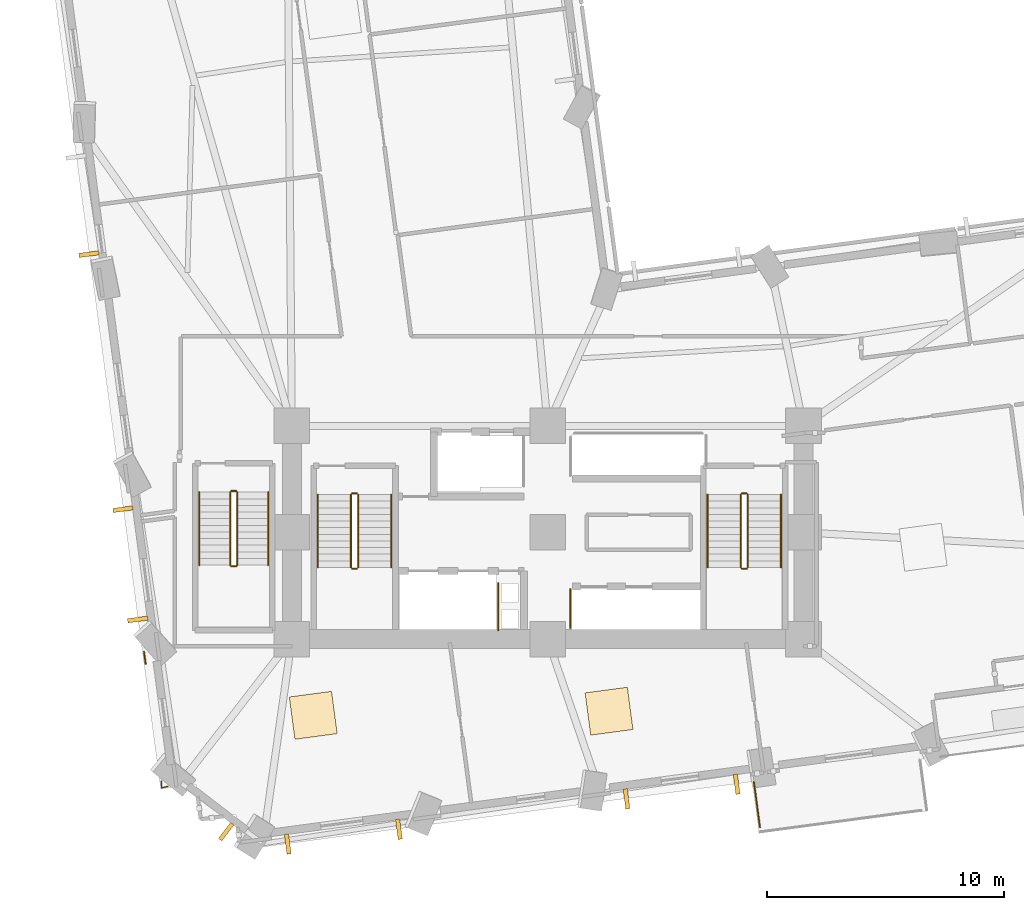
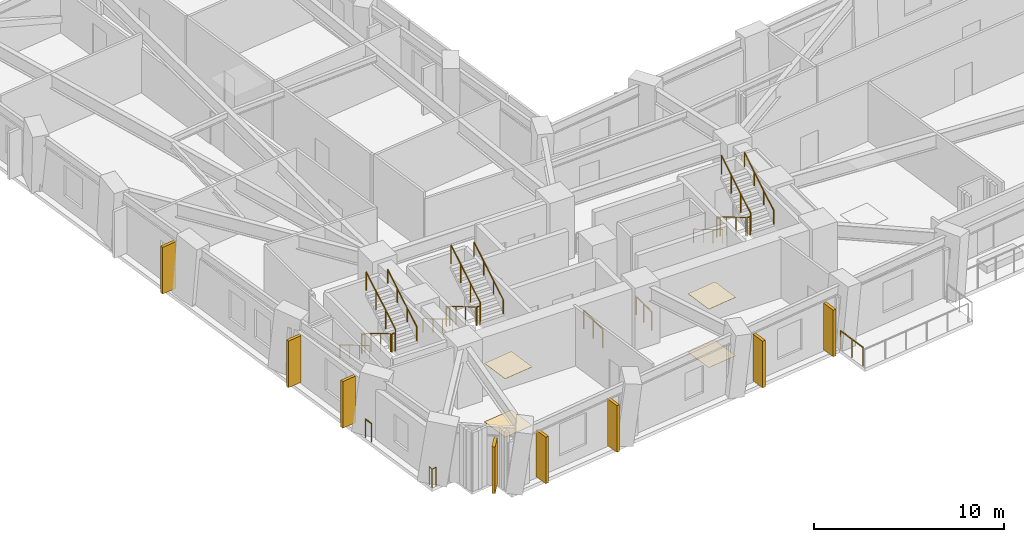
# One storey, part 11 of 14: 23 railings, 8 shading devices, 4 coverings.
"""IFC4 building model written with IfcOpenShell, lengths in metres."""

import ifcopenshell
import ifcopenshell.guid

model = None  # the IFC model being written
_history = None  # IfcOwnerHistory: only IFC2X3 demands one
_inside = {}  # id of a spatial element -> (the spatial element, [elements in it])
_under = {}  # id of a project, library or spatial element -> (it, [spatial elements below it])
_declared = {}  # id of a project -> (the project, [libraries it declares])
_typed = {}  # id of a type object -> (the type object, [elements of that type])
_made_of = {}  # id of a material, layer set ... -> (it, [elements and type objects made of it])


def new_model(schema):
    """Start an empty IFC model of exactly this schema.

    Asked for "IFC4X3", IfcOpenShell would pick the latest addendum, in which some entities
    have other attributes; the version numbers below select the first issue.
    IFC2X3 requires an IfcOwnerHistory on every rooted entity: one is made here for all.
    """
    global model, _history
    if schema == "IFC4X3":
        model = ifcopenshell.file(schema_version=(4, 3, 0, 0))
    else:
        model = ifcopenshell.file(schema=schema)
    _inside.clear()
    _under.clear()
    _declared.clear()
    _typed.clear()
    _made_of.clear()
    _history = None
    if model.schema == "IFC2X3":
        org = make("IfcOrganization", Name="unknown")
        user = make(
            "IfcPersonAndOrganization",
            ThePerson=make("IfcPerson", FamilyName="unknown"),
            TheOrganization=org,
        )
        app = make(
            "IfcApplication",
            ApplicationDeveloper=org,
            Version="unknown",
            ApplicationFullName="unknown",
            ApplicationIdentifier="unknown",
        )
        _history = make(
            "IfcOwnerHistory",
            OwningUser=user,
            OwningApplication=app,
            ChangeAction="ADDED",
            CreationDate=0,
        )
    return model


def make(cls, **values):
    """One entity of the class cls with the attributes given. An attribute that is None is left unset."""
    return model.create_entity(
        cls, **{name: value for name, value in values.items() if value is not None}
    )


def rooted(cls, **values):
    """An entity with a GlobalId (a new one), such as an element, a storey or a relation."""
    return make(cls, GlobalId=ifcopenshell.guid.new(), OwnerHistory=_history, **values)


def si_unit(unit_type, name, prefix=None):
    """IfcSIUnit, for example si_unit("LENGTHUNIT", "METRE", prefix="MILLI")."""
    return make("IfcSIUnit", UnitType=unit_type, Prefix=prefix, Name=name)


def assignment(units):
    """IfcUnitAssignment: the units of a project."""
    return None if units is None else make("IfcUnitAssignment", Units=units)


def point(xyz):
    """IfcCartesianPoint."""
    return None if xyz is None else make("IfcCartesianPoint", Coordinates=xyz)


def direction(xyz):
    """IfcDirection."""
    return None if xyz is None else make("IfcDirection", DirectionRatios=xyz)


def frame(location, z_axis=None, x_axis=None):
    """IfcAxis2Placement3D, a coordinate frame: its origin and axes. An axis left out is left unset."""
    return make(
        "IfcAxis2Placement3D",
        Location=point(location),
        Axis=direction(z_axis),
        RefDirection=direction(x_axis),
    )


def frame_2d(location, x_axis=None):
    """IfcAxis2Placement2D, a coordinate frame in the plane: its origin and x axis."""
    return make(
        "IfcAxis2Placement2D", Location=point(location), RefDirection=direction(x_axis)
    )


def origin():
    """The frame at (0, 0, 0) with its axes left unset."""
    return frame((0.0, 0.0, 0.0))


def origin_2d():
    """The frame at (0, 0) in the plane with its x axis left unset."""
    return frame_2d((0.0, 0.0))


def place(relative_to, where):
    """IfcLocalPlacement: puts the frame where relative to a parent placement (None: the world)."""
    return make(
        "IfcLocalPlacement", PlacementRelTo=relative_to, RelativePlacement=where
    )


def context(
    kind, dimensions, precision=None, world=None, true_north=None, identifier=None
):
    """IfcGeometricRepresentationContext, for example the 3D "Model" context."""
    return make(
        "IfcGeometricRepresentationContext",
        ContextIdentifier=identifier,
        ContextType=kind,
        CoordinateSpaceDimension=dimensions,
        Precision=precision,
        WorldCoordinateSystem=world,
        TrueNorth=true_north,
    )


def subcontext(parent, identifier, kind, view, scale=None):
    """IfcGeometricRepresentationSubContext, for example "Body" below "Model"."""
    return make(
        "IfcGeometricRepresentationSubContext",
        ContextIdentifier=identifier,
        ContextType=kind,
        ParentContext=parent,
        TargetScale=scale,
        TargetView=view,
    )


def project(units=None, contexts=None):
    """IfcProject with its units and contexts."""
    return rooted(
        "IfcProject",
        Name="project",
        RepresentationContexts=contexts,
        UnitsInContext=assignment(units),
    )


def spatial(cls, under=None, at=None, **own):
    """A site, building, storey or space (cls), placed at a placement, below another one or the project."""
    s = rooted(cls, ObjectPlacement=at, **own)
    if under is not None:
        _under.setdefault(under.id(), (under, []))[1].append(s)
    return s


def profile(cls, at=None, kind="AREA", **sizes):
    """A parametric profile (cls). Its sizes go by their IFC names, for example OverallWidth=200.0."""
    return make(cls, ProfileType=kind, Position=at, **sizes)


def rectangle(**sizes):
    """IfcRectangleProfileDef."""
    return profile("IfcRectangleProfileDef", **sizes)


def circle(**sizes):
    """IfcCircleProfileDef."""
    return profile("IfcCircleProfileDef", **sizes)


def extrude(swept, where, along, depth):
    """IfcExtrudedAreaSolid: the profile swept, set in the frame where, extruded along a direction by depth."""
    return make(
        "IfcExtrudedAreaSolid",
        SweptArea=swept,
        Position=where,
        ExtrudedDirection=direction(along),
        Depth=depth,
    )


def shape(context_of_items, identifier, shape_type, items):
    """IfcShapeRepresentation: the items that make up one representation, for example the "Body"."""
    return make(
        "IfcShapeRepresentation",
        ContextOfItems=context_of_items,
        RepresentationIdentifier=identifier,
        RepresentationType=shape_type,
        Items=items,
    )


def material(Name=None, Category=None):
    """IfcMaterial."""
    return make("IfcMaterial", Name=Name, Category=Category)


def layer(
    of_material, thickness, ventilated=None, Name=None, Category=None, Priority=None
):
    """IfcMaterialLayer: one layer of a wall or slab, of a material (None: an air gap)."""
    return make(
        "IfcMaterialLayer",
        Material=of_material,
        LayerThickness=thickness,
        IsVentilated=ventilated,
        Name=Name,
        Category=Category,
        Priority=Priority,
    )


def layer_set(layers, Name=None):
    """IfcMaterialLayerSet."""
    return make("IfcMaterialLayerSet", MaterialLayers=layers, LayerSetName=Name)


def made_of(thing, what):
    """Note that an element or type object is made of a material, layer set ...; save() writes the relation."""
    if what is not None:
        _made_of.setdefault(what.id(), (what, []))[1].append(thing)
    return thing


def type_object(cls, material=None, **own):
    """A type object (cls), such as IfcWallType, which elements share."""
    return made_of(rooted(cls, **own), material)


def element(
    cls,
    number,
    at=None,
    inside=None,
    cuts=None,
    type_object=None,
    material=None,
    context=None,
    identifier="Body",
    shape_type=None,
    held_by="IfcProductDefinitionShape",
    body=None,
    shapes=None,
    **own,
):
    """One element of the class cls, such as IfcWall. Its Tag is "e" and its number.

    at: its placement. inside: the storey or other place that contains it. cuts: it is an
    opening in that element (IfcRelVoidsElement). A single representation is given by context,
    identifier, shape_type and body (its items); several are given by shapes. held_by: the class
    of the entity that holds the representations. save() writes the other relations.
    """
    e = rooted(cls, Tag="e%d" % number, ObjectPlacement=at, **own)
    if body is not None:
        shapes = [shape(context, identifier, shape_type, body)]
    if shapes is not None:
        e.Representation = make(held_by, Representations=shapes)
    if inside is not None:
        _inside.setdefault(inside.id(), (inside, []))[1].append(e)
    if cuts is not None:
        rooted(
            "IfcRelVoidsElement", RelatingBuildingElement=cuts, RelatedOpeningElement=e
        )
    if type_object is not None:
        _typed.setdefault(type_object.id(), (type_object, []))[1].append(e)
    return made_of(e, material)


def aggregate(whole, parts):
    """IfcRelAggregates: a whole, such as a stair, and the parts it consists of."""
    return rooted("IfcRelAggregates", RelatingObject=whole, RelatedObjects=parts)


def save(model, path):
    """Write the relations noted so far, then the file.

    IfcRelAggregates (storeys below a building ...), IfcRelContainedInSpatialStructure (elements
    in a storey), IfcRelDefinesByType, IfcRelAssociatesMaterial and IfcRelDeclares: one each for
    every whole, place, type object, material and project.
    """
    for whole, parts in _under.values():
        aggregate(whole, parts)
    for where, things in _inside.values():
        rooted(
            "IfcRelContainedInSpatialStructure",
            RelatedElements=things,
            RelatingStructure=where,
        )
    for kind, things in _typed.values():
        rooted("IfcRelDefinesByType", RelatedObjects=things, RelatingType=kind)
    for what, things in _made_of.values():
        rooted("IfcRelAssociatesMaterial", RelatedObjects=things, RelatingMaterial=what)
    for by, libraries in _declared.values():
        rooted("IfcRelDeclares", RelatingContext=by, RelatedDefinitions=libraries)
    model.write(path)


model = new_model("IFC4")

# Units and contexts
model_context = context("Model", 3, precision=1e-05, world=origin(), true_north=direction((0.0, 1.0)))
body_context = subcontext(model_context, "Body", "Model", "MODEL_VIEW")
ifc_project = project(units=[si_unit("LENGTHUNIT", "METRE"), si_unit("AREAUNIT", "SQUARE_METRE"), si_unit("VOLUMEUNIT", "CUBIC_METRE"), si_unit("PLANEANGLEUNIT", "RADIAN"), si_unit("MASSUNIT", "GRAM", prefix="KILO")], contexts=[model_context])

# Site, building, storey
site_placement = place(None, origin())
site = spatial("IfcSite", under=ifc_project, at=site_placement, CompositionType="ELEMENT")
building_placement = place(site_placement, origin())
building = spatial("IfcBuilding", under=site, at=building_placement, Name="Gaonmaruhae Medical Tower", CompositionType="ELEMENT")
storey_placement = place(building_placement, frame((0.0, 0.0, 55.0)))
storey = spatial("IfcBuildingStorey", under=building, at=storey_placement, Name="L12", CompositionType="ELEMENT", Elevation=55.0)

# Coverings
ifc_material_1 = material(Name="Acoustic mineral ceiling tile", Category="finish")
ifc_layer_1 = layer(ifc_material_1, 0.02490234375)
ifc_layer_set_1 = layer_set([ifc_layer_1], Name="Acoustic mineral ceiling tile")
covering_type_1 = type_object("IfcCoveringType", Name="CLG-01 Antimicrobial Acoustic Mineral Ceiling", PredefinedType="CEILING", material=ifc_layer_set_1)
for number, where, z_axis, x_axis, name in (
    (1, (14.905029296875, 4.579833984375, 3.755126953125), (0.0, 0.0, 1.0), (0.991215540252, 0.132256390257, 0.0), "L12 Clinical Room Acoustic Ceiling 2"),
    (2, (27.3916015625, 4.753662109375, 3.755126953125), (0.0, 0.0, 1.0), (0.991215540252, 0.132256390257, 0.0), "L12 Clinical Room Acoustic Ceiling 3"),
):
    element("IfcCovering", number, at=place(storey_placement, frame(where, z_axis=z_axis, x_axis=x_axis)), inside=storey, type_object=covering_type_1, Name=name, PredefinedType="CEILING", context=body_context, shape_type="SweptSolid", body=[
        extrude(rectangle(XDim=1.800048828125, YDim=1.800048828125, at=origin_2d()), origin(), (0.0, 0.0, 1.0), 0.02490234375),
    ])
ifc_material_2 = material(Name="Seamless clinical vinyl flooring", Category="finish")
ifc_layer_2 = layer(ifc_material_2, 0.014892578125)
ifc_layer_set_2 = layer_set([ifc_layer_2], Name="Seamless clinical vinyl flooring")
covering_type_2 = type_object("IfcCoveringType", Name="FLR-01 Seamless Clinical Antistatic Vinyl Flooring", PredefinedType="FLOORING", material=ifc_layer_set_2)
for number, where, z_axis, x_axis, name in (
    (3, (14.905029296875, 4.579833984375, 0.0), (0.0, 0.0, 1.0), (0.991215540252, 0.132256390257, 0.0), "L12 Clinical Room Vinyl Flooring 2"),
    (4, (27.3916015625, 4.753662109375, 0.0), (0.0, 0.0, 1.0), (0.991215540252, 0.132256390257, 0.0), "L12 Clinical Room Vinyl Flooring 3"),
):
    element("IfcCovering", number, at=place(storey_placement, frame(where, z_axis=z_axis, x_axis=x_axis)), inside=storey, type_object=covering_type_2, Name=name, PredefinedType="FLOORING", context=body_context, shape_type="SweptSolid", body=[
        extrude(rectangle(XDim=1.800048828125, YDim=1.800048828125, at=origin_2d()), origin(), (0.0, 0.0, 1.0), 0.014892578125),
    ])

# Railings
ifc_material_3 = material(Name="Stainless steel 316L and laminated safety glass", Category="steel")
ifc_layer_3 = layer(ifc_material_3, 0.080078125)
ifc_layer_set_3 = layer_set([ifc_layer_3], Name="Stainless steel 316L and laminated safety glass")
railing_type_1 = type_object("IfcRailingType", Name="GD-120 Outdoor Terrace Safety Glass & Steel Balustrade", PredefinedType="BALUSTRADE", material=ifc_layer_set_3)
railing_1_placement = place(storey_placement, frame((7.8310546875, 6.748291015625, 0.0)))
element("IfcRailing", 5, at=railing_1_placement, inside=storey, type_object=railing_type_1, Name="L12 Perimeter Slab Edge Safety Balustrade 01", PredefinedType="BALUSTRADE", context=body_context, shape_type="SweptSolid", body=[
    extrude(circle(Radius=0.02392578125, at=origin_2d()), frame((0.0, 0.0, 1.17578125), z_axis=(-0.132471414677, 0.99118682613, 0.0), x_axis=(-0.99118682613, -0.132471414677, 0.0)), (0.0, 0.0, 1.0), 0.519775390625),
    extrude(circle(Radius=0.02099609375, at=origin_2d()), origin(), (0.0, 0.0, 1.0), 1.15185546875),
    extrude(circle(Radius=0.02099609375, at=origin_2d()), frame((-0.06884765625, 0.51513671875, 0.0)), (0.0, 0.0, 1.0), 1.15185546875),
])
railing_2_placement = place(storey_placement, frame((33.76171875, -0.13916015625, 0.0)))
element("IfcRailing", 6, at=railing_2_placement, inside=storey, type_object=railing_type_1, Name="L12 Perimeter Slab Edge Safety Balustrade 10", PredefinedType="BALUSTRADE", context=body_context, shape_type="SweptSolid", body=[
    extrude(circle(Radius=0.02392578125, at=origin_2d()), frame((0.0, 0.0, 1.17578125), z_axis=(-0.13227191651, 0.991213468483, 0.0), x_axis=(-0.991213468483, -0.13227191651, 0.0)), (0.0, 0.0, 1.0), 1.92138671875),
    extrude(circle(Radius=0.02099609375, at=origin_2d()), origin(), (0.0, 0.0, 1.0), 1.15185546875),
    extrude(circle(Radius=0.02099609375, at=origin_2d()), frame((-0.126953125, 0.9521484375, 0.0)), (0.0, 0.0, 1.0), 1.15185546875),
    extrude(circle(Radius=0.02099609375, at=origin_2d()), frame((-0.254150390625, 1.904541015625, 0.0)), (0.0, 0.0, 1.0), 1.15185546875),
])
railing_3_placement = place(storey_placement, frame((8.7724609375, 1.58251953125, 0.0)))
element("IfcRailing", 7, at=railing_3_placement, inside=storey, type_object=railing_type_1, Name="L12 Perimeter Corner Safety Balustrade 11", PredefinedType="BALUSTRADE", context=body_context, shape_type="SweptSolid", body=[
    extrude(circle(Radius=0.02392578125, at=origin_2d()), frame((0.0, 0.0, 1.17578125), z_axis=(-0.967590179056, -0.252525732144, 0.0), x_axis=(0.252525732144, -0.967590179056, 0.0)), (0.0, 0.0, 1.0), 0.287109375),
    extrude(circle(Radius=0.02392578125, at=origin_2d()), frame((-0.27783203125, -0.072509765625, 1.17578125), z_axis=(-0.010203550433, 0.999947942424, 0.0), x_axis=(-0.999947942424, -0.010203550433, 0.0)), (0.0, 0.0, 1.0), 0.287109375),
    extrude(circle(Radius=0.02099609375, at=origin_2d()), origin(), (0.0, 0.0, 1.0), 1.15185546875),
    extrude(circle(Radius=0.02099609375, at=origin_2d()), frame((-0.27783203125, -0.072509765625, 0.0)), (0.0, 0.0, 1.0), 1.15185546875),
    extrude(circle(Radius=0.02099609375, at=origin_2d()), frame((-0.28076171875, 0.214599609375, 0.0)), (0.0, 0.0, 1.0), 1.15185546875),
])
ifc_material_4 = material(Name="Stainless steel 304 handrail", Category="steel")
railing_type_2 = type_object("IfcRailingType", Name="HR-092 Continuous Stainless Steel Stair Handrail", PredefinedType="HANDRAIL", material=ifc_material_4)
railing_4_placement = place(storey_placement, frame((15.10009765625, 13.89990234375, 0.166748046875)))
element("IfcRailing", 8, at=railing_4_placement, inside=storey, type_object=railing_type_2, Name="L12 ST-01 stair handrail 1", PredefinedType="HANDRAIL", context=body_context, shape_type="SweptSolid", body=[
    extrude(circle(Radius=0.02392578125, at=origin_2d()), frame((0.0, 0.0, 0.8759765625), z_axis=(0.0, -0.859290745958, 0.51148745235), x_axis=(1.0, 0.0, 0.0)), (0.0, 0.0, 1.0), 3.584228515625),
    extrude(circle(Radius=0.02099609375, at=origin_2d()), origin(), (0.0, 0.0, 1.0), 0.851806640625),
    extrude(circle(Radius=0.02099609375, at=origin_2d()), frame((0.0, -1.026611328125, 0.611083984375)), (0.0, 0.0, 1.0), 0.851806640625),
    extrude(circle(Radius=0.02099609375, at=origin_2d()), frame((0.0, -2.05322265625, 1.22216796875)), (0.0, 0.0, 1.0), 0.851806640625),
    extrude(circle(Radius=0.02099609375, at=origin_2d()), frame((0.0, -3.079833984375, 1.833251953125)), (0.0, 0.0, 1.0), 0.851806640625),
])
railing_5_placement = place(storey_placement, frame((18.199951171875, 10.820068359375, 2.166748046875)))
element("IfcRailing", 9, at=railing_5_placement, inside=storey, type_object=railing_type_2, Name="L12 ST-01 stair handrail 2", PredefinedType="HANDRAIL", context=body_context, shape_type="SweptSolid", body=[
    extrude(circle(Radius=0.02392578125, at=origin_2d()), frame((0.0, 0.0, 0.8759765625), z_axis=(0.0, 0.859290745958, 0.51148745235), x_axis=(-1.0, 0.0, 0.0)), (0.0, 0.0, 1.0), 3.584228515625),
    extrude(circle(Radius=0.02099609375, at=origin_2d()), origin(), (0.0, 0.0, 1.0), 0.851806640625),
    extrude(circle(Radius=0.02099609375, at=origin_2d()), frame((0.0, 1.026611328125, 0.611083984375)), (0.0, 0.0, 1.0), 0.851806640625),
    extrude(circle(Radius=0.02099609375, at=origin_2d()), frame((0.0, 2.05322265625, 1.22216796875)), (0.0, 0.0, 1.0), 0.851806640625),
    extrude(circle(Radius=0.02099609375, at=origin_2d()), frame((0.0, 3.079833984375, 1.833251953125)), (0.0, 0.0, 1.0), 0.851806640625),
])
railing_6_placement = place(storey_placement, frame((31.550048828125, 13.89990234375, 0.166748046875)))
element("IfcRailing", 10, at=railing_6_placement, inside=storey, type_object=railing_type_2, Name="L12 ST-02 stair handrail 1", PredefinedType="HANDRAIL", context=body_context, shape_type="SweptSolid", body=[
    extrude(circle(Radius=0.02392578125, at=origin_2d()), frame((0.0, 0.0, 0.8759765625), z_axis=(0.0, -0.859290745958, 0.51148745235), x_axis=(1.0, 0.0, 0.0)), (0.0, 0.0, 1.0), 3.584228515625),
    extrude(circle(Radius=0.02099609375, at=origin_2d()), origin(), (0.0, 0.0, 1.0), 0.851806640625),
    extrude(circle(Radius=0.02099609375, at=origin_2d()), frame((0.0, -1.026611328125, 0.611083984375)), (0.0, 0.0, 1.0), 0.851806640625),
    extrude(circle(Radius=0.02099609375, at=origin_2d()), frame((0.0, -2.05322265625, 1.22216796875)), (0.0, 0.0, 1.0), 0.851806640625),
    extrude(circle(Radius=0.02099609375, at=origin_2d()), frame((0.0, -3.079833984375, 1.833251953125)), (0.0, 0.0, 1.0), 0.851806640625),
])
railing_7_placement = place(storey_placement, frame((34.64990234375, 10.820068359375, 2.166748046875)))
element("IfcRailing", 11, at=railing_7_placement, inside=storey, type_object=railing_type_2, Name="L12 ST-02 stair handrail 2", PredefinedType="HANDRAIL", context=body_context, shape_type="SweptSolid", body=[
    extrude(circle(Radius=0.02392578125, at=origin_2d()), frame((0.0, 0.0, 0.8759765625), z_axis=(0.0, 0.859290745958, 0.51148745235), x_axis=(-1.0, 0.0, 0.0)), (0.0, 0.0, 1.0), 3.584228515625),
    extrude(circle(Radius=0.02099609375, at=origin_2d()), origin(), (0.0, 0.0, 1.0), 0.851806640625),
    extrude(circle(Radius=0.02099609375, at=origin_2d()), frame((0.0, 1.026611328125, 0.611083984375)), (0.0, 0.0, 1.0), 0.851806640625),
    extrude(circle(Radius=0.02099609375, at=origin_2d()), frame((0.0, 2.05322265625, 1.22216796875)), (0.0, 0.0, 1.0), 0.851806640625),
    extrude(circle(Radius=0.02099609375, at=origin_2d()), frame((0.0, 3.079833984375, 1.833251953125)), (0.0, 0.0, 1.0), 0.851806640625),
])
railing_8_placement = place(storey_placement, frame((10.10009765625, 14.0, 0.166748046875)))
element("IfcRailing", 12, at=railing_8_placement, inside=storey, type_object=railing_type_2, Name="L12 ST-03 stair handrail 1", PredefinedType="HANDRAIL", context=body_context, shape_type="SweptSolid", body=[
    extrude(circle(Radius=0.02392578125, at=origin_2d()), frame((0.0, 0.0, 0.8759765625), z_axis=(0.0, -0.859308565015, 0.511457515432), x_axis=(1.0, 0.0, 0.0)), (0.0, 0.0, 1.0), 3.58447265625),
    extrude(circle(Radius=0.02099609375, at=origin_2d()), origin(), (0.0, 0.0, 1.0), 0.851806640625),
    extrude(circle(Radius=0.02099609375, at=origin_2d()), frame((0.0, -1.026611328125, 0.611083984375)), (0.0, 0.0, 1.0), 0.851806640625),
    extrude(circle(Radius=0.02099609375, at=origin_2d()), frame((0.0, -2.053466796875, 1.22216796875)), (0.0, 0.0, 1.0), 0.851806640625),
    extrude(circle(Radius=0.02099609375, at=origin_2d()), frame((0.0, -3.080078125, 1.833251953125)), (0.0, 0.0, 1.0), 0.851806640625),
])
railing_9_placement = place(storey_placement, frame((13.0, 10.919921875, 2.166748046875)))
element("IfcRailing", 13, at=railing_9_placement, inside=storey, type_object=railing_type_2, Name="L12 ST-03 stair handrail 2", PredefinedType="HANDRAIL", context=body_context, shape_type="SweptSolid", body=[
    extrude(circle(Radius=0.02392578125, at=origin_2d()), frame((0.0, 0.0, 0.8759765625), z_axis=(0.0, 0.859308565015, 0.511457515432), x_axis=(-1.0, 0.0, 0.0)), (0.0, 0.0, 1.0), 3.58447265625),
    extrude(circle(Radius=0.02099609375, at=origin_2d()), origin(), (0.0, 0.0, 1.0), 0.851806640625),
    extrude(circle(Radius=0.02099609375, at=origin_2d()), frame((0.0, 1.026611328125, 0.611083984375)), (0.0, 0.0, 1.0), 0.851806640625),
    extrude(circle(Radius=0.02099609375, at=origin_2d()), frame((0.0, 2.053466796875, 1.22216796875)), (0.0, 0.0, 1.0), 0.851806640625),
    extrude(circle(Radius=0.02099609375, at=origin_2d()), frame((0.0, 3.080078125, 1.833251953125)), (0.0, 0.0, 1.0), 0.851806640625),
])

# Shading devices
ifc_material_5 = material(Name="Pigmented coral precast concrete C45/55", Category="concrete")
shading_device_type = type_object("IfcShadingDeviceType", Name="SD-FIN1 Tower Vertical Coral Precast Shading Fin", PredefinedType="USERDEFINED", material=ifc_material_5)
for number, where, z_axis, x_axis, name in (
    (14, (18.522216796875, -0.22900390625, 0.08251953125), (0.0, 0.0, 1.0), (-0.991215540252, -0.132256390257, 0.0), "L12 Vertical Coral Precast Shading Fin S01"),
    (15, (13.829345703125, -0.855224609375, 0.08251953125), (0.0, 0.0, 1.0), (-0.991215540252, -0.132256390257, 0.0), "L12 Vertical Coral Precast Shading Fin S01B"),
    (16, (32.778564453125, 1.673095703125, 0.08251953125), (0.0, 0.0, 1.0), (-0.991215540252, -0.132256390257, 0.0), "L12 Vertical Coral Precast Shading Fin S03"),
    (17, (28.130126953125, 1.052978515625, 0.08251953125), (0.0, 0.0, 1.0), (-0.991215540252, -0.132256390257, 0.0), "L12 Vertical Coral Precast Shading Fin S03B"),
    (18, (5.43701171875, 24.048583984375, 0.08251953125), (0.0, 0.0, 1.0), (-0.132256390257, 0.991215540252, 0.0), "L12 Vertical Coral Precast Shading Fin W03"),
    (19, (7.494873046875, 8.625732421875, 0.08251953125), (0.0, 0.0, 1.0), (-0.132239090262, 0.99121784841, 0.0), "L12 Vertical Coral Precast Shading Fin W05"),
    (20, (6.87353515625, 13.281494140625, 0.08251953125), (0.0, 0.0, 1.0), (-0.132239090262, 0.99121784841, 0.0), "L12 Vertical Coral Precast Shading Fin W05B"),
    (21, (11.23193359375, -0.332763671875, 0.08251953125), (0.0, 0.0, 1.0), (-0.794425221123, 0.60736197448, 0.0), "L12 Vertical Coral Precast Shading Fin W07"),
):
    element("IfcShadingDevice", number, at=place(storey_placement, frame(where, z_axis=z_axis, x_axis=x_axis)), inside=storey, type_object=shading_device_type, Name=name, ObjectType="FIN", PredefinedType="USERDEFINED", context=body_context, shape_type="SweptSolid", body=[
        extrude(rectangle(XDim=0.179931640625, YDim=0.85009765625, at=origin_2d()), origin(), (0.0, 0.0, 1.0), 3.0),
    ])

# Railings
ifc_material_6 = material(Name="Stainless steel 304 balustrade", Category="steel")
railing_type_3 = type_object("IfcRailingType", Name="SG-112 Stair Well & Ramp Void Safety Balustrade", PredefinedType="BALUSTRADE", material=ifc_material_6)
railing_10_placement = place(storey_placement, frame((16.5, 13.89990234375, 0.166748046875)))
element("IfcRailing", 22, at=railing_10_placement, inside=storey, type_object=railing_type_3, Name="L12 ST-01 stair guard 1", PredefinedType="BALUSTRADE", context=body_context, shape_type="SweptSolid", body=[
    extrude(circle(Radius=0.02392578125, at=origin_2d()), frame((0.0, 0.0, 1.17578125), z_axis=(0.0, -0.859290745958, 0.51148745235), x_axis=(1.0, 0.0, 0.0)), (0.0, 0.0, 1.0), 3.584228515625),
    extrude(circle(Radius=0.02099609375, at=origin_2d()), origin(), (0.0, 0.0, 1.0), 1.15185546875),
    extrude(circle(Radius=0.02099609375, at=origin_2d()), frame((0.0, -1.026611328125, 0.611083984375)), (0.0, 0.0, 1.0), 1.15185546875),
    extrude(circle(Radius=0.02099609375, at=origin_2d()), frame((0.0, -2.05322265625, 1.22216796875)), (0.0, 0.0, 1.0), 1.15185546875),
    extrude(circle(Radius=0.02099609375, at=origin_2d()), frame((0.0, -3.079833984375, 1.833251953125)), (0.0, 0.0, 1.0), 1.15185546875),
])
railing_11_placement = place(storey_placement, frame((16.550048828125, 10.77001953125, 2.0)))
element("IfcRailing", 23, at=railing_11_placement, inside=storey, type_object=railing_type_3, Name="L12 ST-01 stair guard 2", PredefinedType="BALUSTRADE", context=body_context, shape_type="SweptSolid", body=[
    extrude(circle(Radius=0.02392578125, at=origin_2d()), frame((0.0, 0.0, 1.17578125), z_axis=(1.0, 0.0, 0.0), x_axis=(0.0, 1.0, 0.0)), (0.0, 0.0, 1.0), 0.199951171875),
    extrude(circle(Radius=0.02099609375, at=origin_2d()), origin(), (0.0, 0.0, 1.0), 1.15185546875),
    extrude(circle(Radius=0.02099609375, at=origin_2d()), frame((0.199951171875, 0.0, 0.0)), (0.0, 0.0, 1.0), 1.15185546875),
])
railing_12_placement = place(storey_placement, frame((16.800048828125, 10.820068359375, 2.166748046875)))
element("IfcRailing", 24, at=railing_12_placement, inside=storey, type_object=railing_type_3, Name="L12 ST-01 stair guard 3", PredefinedType="BALUSTRADE", context=body_context, shape_type="SweptSolid", body=[
    extrude(circle(Radius=0.02392578125, at=origin_2d()), frame((0.0, 0.0, 1.17578125), z_axis=(0.0, 0.859290745958, 0.51148745235), x_axis=(-1.0, 0.0, 0.0)), (0.0, 0.0, 1.0), 3.584228515625),
    extrude(circle(Radius=0.02099609375, at=origin_2d()), origin(), (0.0, 0.0, 1.0), 1.15185546875),
    extrude(circle(Radius=0.02099609375, at=origin_2d()), frame((0.0, 1.026611328125, 0.611083984375)), (0.0, 0.0, 1.0), 1.15185546875),
    extrude(circle(Radius=0.02099609375, at=origin_2d()), frame((0.0, 2.05322265625, 1.22216796875)), (0.0, 0.0, 1.0), 1.15185546875),
    extrude(circle(Radius=0.02099609375, at=origin_2d()), frame((0.0, 3.079833984375, 1.833251953125)), (0.0, 0.0, 1.0), 1.15185546875),
])
railing_13_placement = place(storey_placement, frame((16.550048828125, 13.949951171875, 0.0)))
element("IfcRailing", 25, at=railing_13_placement, inside=storey, type_object=railing_type_3, Name="L12 ST-01 stair guard 4", PredefinedType="BALUSTRADE", context=body_context, shape_type="SweptSolid", body=[
    extrude(circle(Radius=0.02392578125, at=origin_2d()), frame((0.0, 0.0, 1.17578125), z_axis=(1.0, 0.0, 0.0), x_axis=(0.0, 1.0, 0.0)), (0.0, 0.0, 1.0), 0.199951171875),
    extrude(circle(Radius=0.02099609375, at=origin_2d()), origin(), (0.0, 0.0, 1.0), 1.15185546875),
    extrude(circle(Radius=0.02099609375, at=origin_2d()), frame((0.199951171875, 0.0, 0.0)), (0.0, 0.0, 1.0), 1.15185546875),
])
railing_14_placement = place(storey_placement, frame((32.949951171875, 13.89990234375, 0.166748046875)))
element("IfcRailing", 26, at=railing_14_placement, inside=storey, type_object=railing_type_3, Name="L12 ST-02 stair guard 1", PredefinedType="BALUSTRADE", context=body_context, shape_type="SweptSolid", body=[
    extrude(circle(Radius=0.02392578125, at=origin_2d()), frame((0.0, 0.0, 1.17578125), z_axis=(0.0, -0.859290745958, 0.51148745235), x_axis=(1.0, 0.0, 0.0)), (0.0, 0.0, 1.0), 3.584228515625),
    extrude(circle(Radius=0.02099609375, at=origin_2d()), origin(), (0.0, 0.0, 1.0), 1.15185546875),
    extrude(circle(Radius=0.02099609375, at=origin_2d()), frame((0.0, -1.026611328125, 0.611083984375)), (0.0, 0.0, 1.0), 1.15185546875),
    extrude(circle(Radius=0.02099609375, at=origin_2d()), frame((0.0, -2.05322265625, 1.22216796875)), (0.0, 0.0, 1.0), 1.15185546875),
    extrude(circle(Radius=0.02099609375, at=origin_2d()), frame((0.0, -3.079833984375, 1.833251953125)), (0.0, 0.0, 1.0), 1.15185546875),
])
railing_15_placement = place(storey_placement, frame((33.0, 10.77001953125, 2.0)))
element("IfcRailing", 27, at=railing_15_placement, inside=storey, type_object=railing_type_3, Name="L12 ST-02 stair guard 2", PredefinedType="BALUSTRADE", context=body_context, shape_type="SweptSolid", body=[
    extrude(circle(Radius=0.02392578125, at=origin_2d()), frame((0.0, 0.0, 1.17578125), z_axis=(1.0, 0.0, 0.0), x_axis=(0.0, 1.0, 0.0)), (0.0, 0.0, 1.0), 0.199951171875),
    extrude(circle(Radius=0.02099609375, at=origin_2d()), origin(), (0.0, 0.0, 1.0), 1.15185546875),
    extrude(circle(Radius=0.02099609375, at=origin_2d()), frame((0.199951171875, 0.0, 0.0)), (0.0, 0.0, 1.0), 1.15185546875),
])
railing_16_placement = place(storey_placement, frame((33.25, 10.820068359375, 2.166748046875)))
element("IfcRailing", 28, at=railing_16_placement, inside=storey, type_object=railing_type_3, Name="L12 ST-02 stair guard 3", PredefinedType="BALUSTRADE", context=body_context, shape_type="SweptSolid", body=[
    extrude(circle(Radius=0.02392578125, at=origin_2d()), frame((0.0, 0.0, 1.17578125), z_axis=(0.0, 0.859290745958, 0.51148745235), x_axis=(-1.0, 0.0, 0.0)), (0.0, 0.0, 1.0), 3.584228515625),
    extrude(circle(Radius=0.02099609375, at=origin_2d()), origin(), (0.0, 0.0, 1.0), 1.15185546875),
    extrude(circle(Radius=0.02099609375, at=origin_2d()), frame((0.0, 1.026611328125, 0.611083984375)), (0.0, 0.0, 1.0), 1.15185546875),
    extrude(circle(Radius=0.02099609375, at=origin_2d()), frame((0.0, 2.05322265625, 1.22216796875)), (0.0, 0.0, 1.0), 1.15185546875),
    extrude(circle(Radius=0.02099609375, at=origin_2d()), frame((0.0, 3.079833984375, 1.833251953125)), (0.0, 0.0, 1.0), 1.15185546875),
])
railing_17_placement = place(storey_placement, frame((33.0, 13.949951171875, 0.0)))
element("IfcRailing", 29, at=railing_17_placement, inside=storey, type_object=railing_type_3, Name="L12 ST-02 stair guard 4", PredefinedType="BALUSTRADE", context=body_context, shape_type="SweptSolid", body=[
    extrude(circle(Radius=0.02392578125, at=origin_2d()), frame((0.0, 0.0, 1.17578125), z_axis=(1.0, 0.0, 0.0), x_axis=(0.0, 1.0, 0.0)), (0.0, 0.0, 1.0), 0.199951171875),
    extrude(circle(Radius=0.02099609375, at=origin_2d()), origin(), (0.0, 0.0, 1.0), 1.15185546875),
    extrude(circle(Radius=0.02099609375, at=origin_2d()), frame((0.199951171875, 0.0, 0.0)), (0.0, 0.0, 1.0), 1.15185546875),
])
railing_18_placement = place(storey_placement, frame((11.39990234375, 14.0, 0.166748046875)))
element("IfcRailing", 30, at=railing_18_placement, inside=storey, type_object=railing_type_3, Name="L12 ST-03 stair guard 1", PredefinedType="BALUSTRADE", context=body_context, shape_type="SweptSolid", body=[
    extrude(circle(Radius=0.02392578125, at=origin_2d()), frame((0.0, 0.0, 1.17578125), z_axis=(0.0, -0.859308565015, 0.511457515432), x_axis=(1.0, 0.0, 0.0)), (0.0, 0.0, 1.0), 3.58447265625),
    extrude(circle(Radius=0.02099609375, at=origin_2d()), origin(), (0.0, 0.0, 1.0), 1.15185546875),
    extrude(circle(Radius=0.02099609375, at=origin_2d()), frame((0.0, -1.026611328125, 0.611083984375)), (0.0, 0.0, 1.0), 1.15185546875),
    extrude(circle(Radius=0.02099609375, at=origin_2d()), frame((0.0, -2.053466796875, 1.22216796875)), (0.0, 0.0, 1.0), 1.15185546875),
    extrude(circle(Radius=0.02099609375, at=origin_2d()), frame((0.0, -3.080078125, 1.833251953125)), (0.0, 0.0, 1.0), 1.15185546875),
])
railing_19_placement = place(storey_placement, frame((11.449951171875, 10.8701171875, 2.0)))
element("IfcRailing", 31, at=railing_19_placement, inside=storey, type_object=railing_type_3, Name="L12 ST-03 stair guard 2", PredefinedType="BALUSTRADE", context=body_context, shape_type="SweptSolid", body=[
    extrude(circle(Radius=0.02392578125, at=origin_2d()), frame((0.0, 0.0, 1.17578125), z_axis=(1.0, 0.0, 0.0), x_axis=(0.0, 1.0, 0.0)), (0.0, 0.0, 1.0), 0.199951171875),
    extrude(circle(Radius=0.02099609375, at=origin_2d()), origin(), (0.0, 0.0, 1.0), 1.15185546875),
    extrude(circle(Radius=0.02099609375, at=origin_2d()), frame((0.199951171875, 0.0, 0.0)), (0.0, 0.0, 1.0), 1.15185546875),
])
railing_20_placement = place(storey_placement, frame((11.699951171875, 10.919921875, 2.166748046875)))
element("IfcRailing", 32, at=railing_20_placement, inside=storey, type_object=railing_type_3, Name="L12 ST-03 stair guard 3", PredefinedType="BALUSTRADE", context=body_context, shape_type="SweptSolid", body=[
    extrude(circle(Radius=0.02392578125, at=origin_2d()), frame((0.0, 0.0, 1.17578125), z_axis=(0.0, 0.859308565015, 0.511457515432), x_axis=(-1.0, 0.0, 0.0)), (0.0, 0.0, 1.0), 3.58447265625),
    extrude(circle(Radius=0.02099609375, at=origin_2d()), origin(), (0.0, 0.0, 1.0), 1.15185546875),
    extrude(circle(Radius=0.02099609375, at=origin_2d()), frame((0.0, 1.026611328125, 0.611083984375)), (0.0, 0.0, 1.0), 1.15185546875),
    extrude(circle(Radius=0.02099609375, at=origin_2d()), frame((0.0, 2.053466796875, 1.22216796875)), (0.0, 0.0, 1.0), 1.15185546875),
    extrude(circle(Radius=0.02099609375, at=origin_2d()), frame((0.0, 3.080078125, 1.833251953125)), (0.0, 0.0, 1.0), 1.15185546875),
])
railing_21_placement = place(storey_placement, frame((11.449951171875, 14.050048828125, 0.0)))
element("IfcRailing", 33, at=railing_21_placement, inside=storey, type_object=railing_type_3, Name="L12 ST-03 stair guard 4", PredefinedType="BALUSTRADE", context=body_context, shape_type="SweptSolid", body=[
    extrude(circle(Radius=0.02392578125, at=origin_2d()), frame((0.0, 0.0, 1.17578125), z_axis=(1.0, 0.0, 0.0), x_axis=(0.0, 1.0, 0.0)), (0.0, 0.0, 1.0), 0.199951171875),
    extrude(circle(Radius=0.02099609375, at=origin_2d()), origin(), (0.0, 0.0, 1.0), 1.15185546875),
    extrude(circle(Radius=0.02099609375, at=origin_2d()), frame((0.199951171875, 0.0, 0.0)), (0.0, 0.0, 1.0), 1.15185546875),
])
railing_22_placement = place(storey_placement, frame((25.7548828125, 8.27001953125, 0.0)))
element("IfcRailing", 34, at=railing_22_placement, inside=storey, type_object=railing_type_3, Name="L12 Shaft Edge Safety Guard 12", PredefinedType="BALUSTRADE", context=body_context, shape_type="SweptSolid", body=[
    extrude(circle(Radius=0.02392578125, at=origin_2d()), frame((0.0, 0.0, 1.17578125), z_axis=(0.0, 1.0, 0.0), x_axis=(-1.0, 0.0, 0.0)), (0.0, 0.0, 1.0), 1.635009765625),
    extrude(circle(Radius=0.02099609375, at=origin_2d()), origin(), (0.0, 0.0, 1.0), 1.15185546875),
    extrude(circle(Radius=0.02099609375, at=origin_2d()), frame((0.0, 0.8173828125, 0.0)), (0.0, 0.0, 1.0), 1.15185546875),
    extrude(circle(Radius=0.02099609375, at=origin_2d()), frame((0.0, 1.635009765625, 0.0)), (0.0, 0.0, 1.0), 1.15185546875),
])
railing_23_placement = place(storey_placement, frame((22.719970703125, 10.159912109375, 0.0)))
element("IfcRailing", 35, at=railing_23_placement, inside=storey, type_object=railing_type_3, Name="L12 Shaft Edge Safety Guard 13", PredefinedType="BALUSTRADE", context=body_context, shape_type="SweptSolid", body=[
    extrude(circle(Radius=0.02392578125, at=origin_2d()), frame((0.0, 0.0, 1.17578125), z_axis=(0.0, -1.0, 0.0), x_axis=(1.0, 0.0, 0.0)), (0.0, 0.0, 1.0), 1.994873046875),
    extrude(circle(Radius=0.02099609375, at=origin_2d()), origin(), (0.0, 0.0, 1.0), 1.15185546875),
    extrude(circle(Radius=0.02099609375, at=origin_2d()), frame((0.0, -0.99755859375, 0.0)), (0.0, 0.0, 1.0), 1.15185546875),
    extrude(circle(Radius=0.02099609375, at=origin_2d()), frame((0.0, -1.994873046875, 0.0)), (0.0, 0.0, 1.0), 1.15185546875),
])

save(model, "model.ifc")
